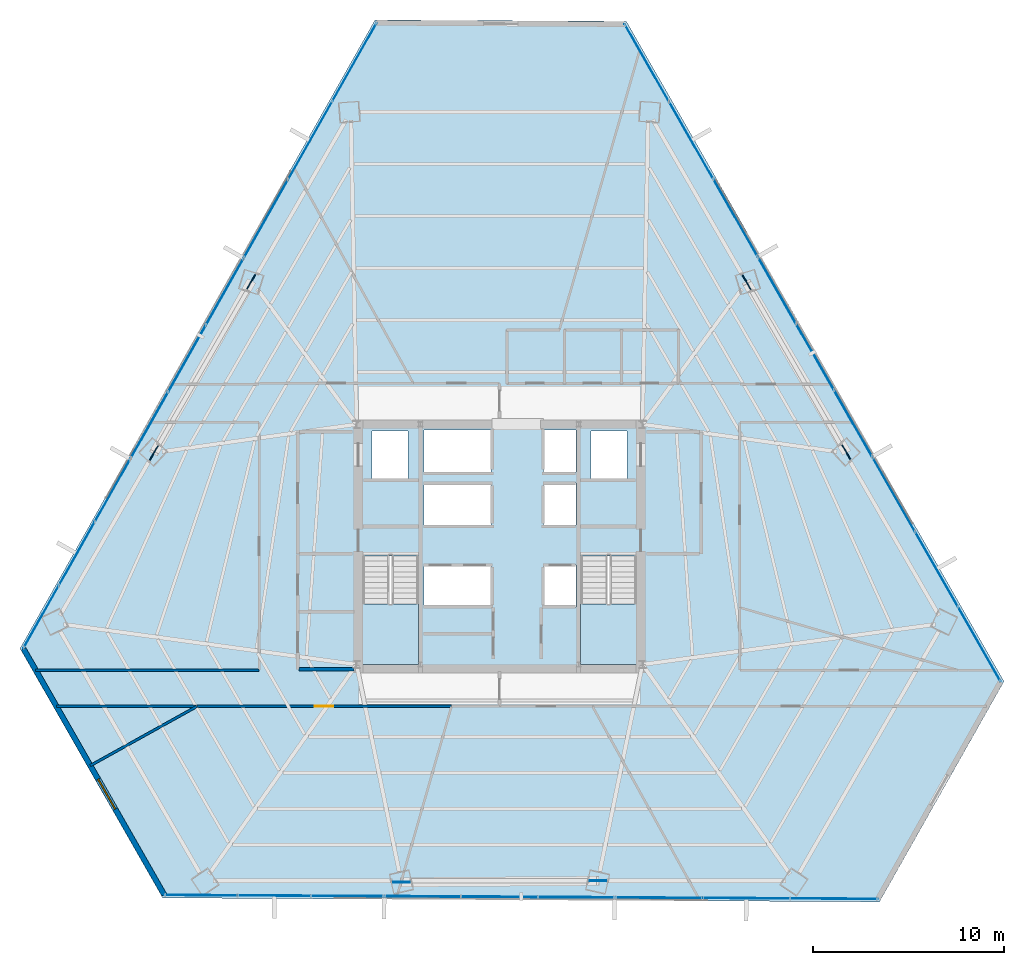
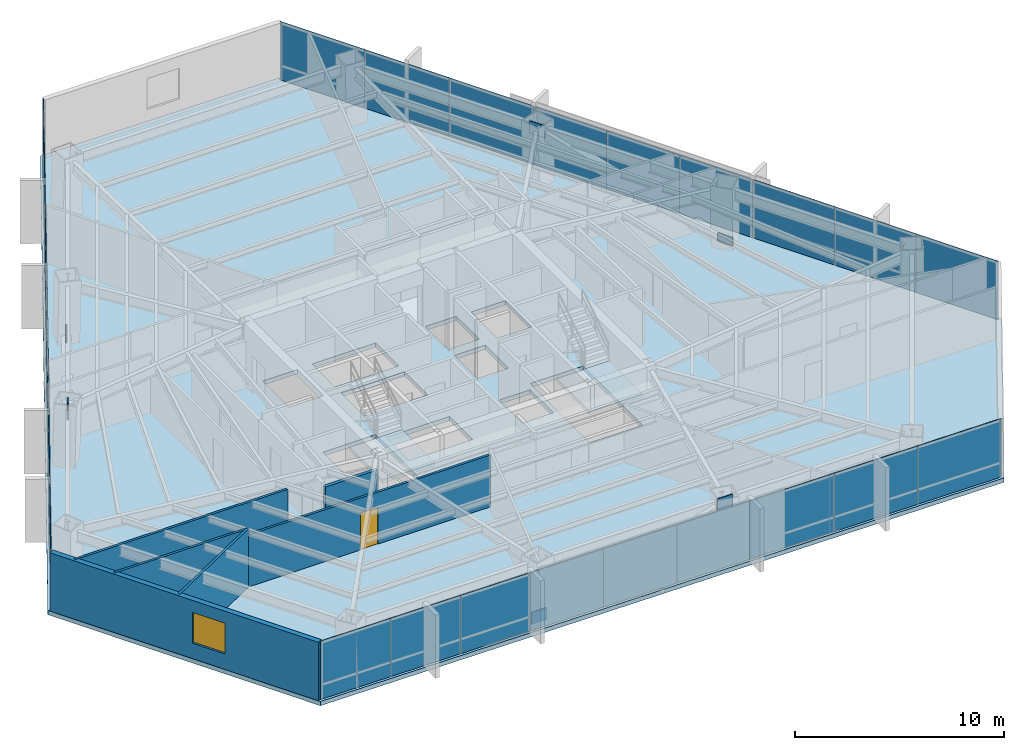
# One storey, part 29 of 35: 33 plates, 6 walls, 3 slabs, 1 door, 1 window, 2 openings, 11 elements without a shape of their own.
"""IFC4 building model written with IfcOpenShell, lengths in metres."""

import ifcopenshell
import ifcopenshell.guid

model = None  # the IFC model being written
_history = None  # IfcOwnerHistory: only IFC2X3 demands one
_inside = {}  # id of a spatial element -> (the spatial element, [elements in it])
_under = {}  # id of a project, library or spatial element -> (it, [spatial elements below it])
_declared = {}  # id of a project -> (the project, [libraries it declares])
_typed = {}  # id of a type object -> (the type object, [elements of that type])
_made_of = {}  # id of a material, layer set ... -> (it, [elements and type objects made of it])


def new_model(schema):
    """Start an empty IFC model of exactly this schema.

    Asked for "IFC4X3", IfcOpenShell would pick the latest addendum, in which some entities
    have other attributes; the version numbers below select the first issue.
    IFC2X3 requires an IfcOwnerHistory on every rooted entity: one is made here for all.
    """
    global model, _history
    if schema == "IFC4X3":
        model = ifcopenshell.file(schema_version=(4, 3, 0, 0))
    else:
        model = ifcopenshell.file(schema=schema)
    _inside.clear()
    _under.clear()
    _declared.clear()
    _typed.clear()
    _made_of.clear()
    _history = None
    if model.schema == "IFC2X3":
        org = make("IfcOrganization", Name="unknown")
        user = make(
            "IfcPersonAndOrganization",
            ThePerson=make("IfcPerson", FamilyName="unknown"),
            TheOrganization=org,
        )
        app = make(
            "IfcApplication",
            ApplicationDeveloper=org,
            Version="unknown",
            ApplicationFullName="unknown",
            ApplicationIdentifier="unknown",
        )
        _history = make(
            "IfcOwnerHistory",
            OwningUser=user,
            OwningApplication=app,
            ChangeAction="ADDED",
            CreationDate=0,
        )
    return model


def make(cls, **values):
    """One entity of the class cls with the attributes given. An attribute that is None is left unset."""
    return model.create_entity(
        cls, **{name: value for name, value in values.items() if value is not None}
    )


def rooted(cls, **values):
    """An entity with a GlobalId (a new one), such as an element, a storey or a relation."""
    return make(cls, GlobalId=ifcopenshell.guid.new(), OwnerHistory=_history, **values)


def si_unit(unit_type, name, prefix=None):
    """IfcSIUnit, for example si_unit("LENGTHUNIT", "METRE", prefix="MILLI")."""
    return make("IfcSIUnit", UnitType=unit_type, Prefix=prefix, Name=name)


def assignment(units):
    """IfcUnitAssignment: the units of a project."""
    return None if units is None else make("IfcUnitAssignment", Units=units)


def point(xyz):
    """IfcCartesianPoint."""
    return None if xyz is None else make("IfcCartesianPoint", Coordinates=xyz)


def direction(xyz):
    """IfcDirection."""
    return None if xyz is None else make("IfcDirection", DirectionRatios=xyz)


def frame(location, z_axis=None, x_axis=None):
    """IfcAxis2Placement3D, a coordinate frame: its origin and axes. An axis left out is left unset."""
    return make(
        "IfcAxis2Placement3D",
        Location=point(location),
        Axis=direction(z_axis),
        RefDirection=direction(x_axis),
    )


def frame_2d(location, x_axis=None):
    """IfcAxis2Placement2D, a coordinate frame in the plane: its origin and x axis."""
    return make(
        "IfcAxis2Placement2D", Location=point(location), RefDirection=direction(x_axis)
    )


def origin():
    """The frame at (0, 0, 0) with its axes left unset."""
    return frame((0.0, 0.0, 0.0))


def origin_2d():
    """The frame at (0, 0) in the plane with its x axis left unset."""
    return frame_2d((0.0, 0.0))


def place(relative_to, where):
    """IfcLocalPlacement: puts the frame where relative to a parent placement (None: the world)."""
    return make(
        "IfcLocalPlacement", PlacementRelTo=relative_to, RelativePlacement=where
    )


def context(
    kind, dimensions, precision=None, world=None, true_north=None, identifier=None
):
    """IfcGeometricRepresentationContext, for example the 3D "Model" context."""
    return make(
        "IfcGeometricRepresentationContext",
        ContextIdentifier=identifier,
        ContextType=kind,
        CoordinateSpaceDimension=dimensions,
        Precision=precision,
        WorldCoordinateSystem=world,
        TrueNorth=true_north,
    )


def subcontext(parent, identifier, kind, view, scale=None):
    """IfcGeometricRepresentationSubContext, for example "Body" below "Model"."""
    return make(
        "IfcGeometricRepresentationSubContext",
        ContextIdentifier=identifier,
        ContextType=kind,
        ParentContext=parent,
        TargetScale=scale,
        TargetView=view,
    )


def project(units=None, contexts=None):
    """IfcProject with its units and contexts."""
    return rooted(
        "IfcProject",
        Name="project",
        RepresentationContexts=contexts,
        UnitsInContext=assignment(units),
    )


def spatial(cls, under=None, at=None, **own):
    """A site, building, storey or space (cls), placed at a placement, below another one or the project."""
    s = rooted(cls, ObjectPlacement=at, **own)
    if under is not None:
        _under.setdefault(under.id(), (under, []))[1].append(s)
    return s


def polyline(points):
    """IfcPolyline through the points."""
    return make("IfcPolyline", Points=[point(p) for p in points])


def profile(cls, at=None, kind="AREA", **sizes):
    """A parametric profile (cls). Its sizes go by their IFC names, for example OverallWidth=200.0."""
    return make(cls, ProfileType=kind, Position=at, **sizes)


def rectangle(**sizes):
    """IfcRectangleProfileDef."""
    return profile("IfcRectangleProfileDef", **sizes)


def outline(outer, holes=None, kind="AREA"):
    """IfcArbitraryClosedProfileDef: a profile drawn as a closed curve; with holes, ...WithVoids."""
    if holes is None:
        return make("IfcArbitraryClosedProfileDef", ProfileType=kind, OuterCurve=outer)
    return make(
        "IfcArbitraryProfileDefWithVoids",
        ProfileType=kind,
        OuterCurve=outer,
        InnerCurves=holes,
    )


def extrude(swept, where, along, depth):
    """IfcExtrudedAreaSolid: the profile swept, set in the frame where, extruded along a direction by depth."""
    return make(
        "IfcExtrudedAreaSolid",
        SweptArea=swept,
        Position=where,
        ExtrudedDirection=direction(along),
        Depth=depth,
    )


def shape(context_of_items, identifier, shape_type, items):
    """IfcShapeRepresentation: the items that make up one representation, for example the "Body"."""
    return make(
        "IfcShapeRepresentation",
        ContextOfItems=context_of_items,
        RepresentationIdentifier=identifier,
        RepresentationType=shape_type,
        Items=items,
    )


def source(mapping_origin, context_of_items, identifier, shape_type, items):
    """IfcRepresentationMap: a shape defined once, which mapped items show again and again."""
    return make(
        "IfcRepresentationMap",
        MappingOrigin=mapping_origin,
        MappedRepresentation=shape(context_of_items, identifier, shape_type, items),
    )


def transform(
    local_origin,
    x_axis=None,
    y_axis=None,
    z_axis=None,
    scale=None,
    scale2=None,
    scale3=None,
    uniform=True,
):
    """IfcCartesianTransformationOperator3D, or its non-uniform kind. x_axis, y_axis, z_axis: its Axis1, 2, 3."""
    if uniform:
        return make(
            "IfcCartesianTransformationOperator3D",
            Axis1=direction(x_axis),
            Axis2=direction(y_axis),
            LocalOrigin=point(local_origin),
            Scale=scale,
            Axis3=direction(z_axis),
        )
    return make(
        "IfcCartesianTransformationOperator3DnonUniform",
        Axis1=direction(x_axis),
        Axis2=direction(y_axis),
        LocalOrigin=point(local_origin),
        Scale=scale,
        Axis3=direction(z_axis),
        Scale2=scale2,
        Scale3=scale3,
    )


def mapped(mapping_source, mapping_target):
    """IfcMappedItem: shows the shape of a source again, moved by a transform."""
    return make(
        "IfcMappedItem", MappingSource=mapping_source, MappingTarget=mapping_target
    )


def material(Name=None, Category=None):
    """IfcMaterial."""
    return make("IfcMaterial", Name=Name, Category=Category)


def layer(
    of_material, thickness, ventilated=None, Name=None, Category=None, Priority=None
):
    """IfcMaterialLayer: one layer of a wall or slab, of a material (None: an air gap)."""
    return make(
        "IfcMaterialLayer",
        Material=of_material,
        LayerThickness=thickness,
        IsVentilated=ventilated,
        Name=Name,
        Category=Category,
        Priority=Priority,
    )


def layer_set(layers, Name=None):
    """IfcMaterialLayerSet."""
    return make("IfcMaterialLayerSet", MaterialLayers=layers, LayerSetName=Name)


def made_of(thing, what):
    """Note that an element or type object is made of a material, layer set ...; save() writes the relation."""
    if what is not None:
        _made_of.setdefault(what.id(), (what, []))[1].append(thing)
    return thing


def type_object(cls, material=None, **own):
    """A type object (cls), such as IfcWallType, which elements share."""
    return made_of(rooted(cls, **own), material)


def type_shapes(of_type, sources):
    """Give a type object the sources (RepresentationMaps) that its elements show as mapped items."""
    of_type.RepresentationMaps = sources


def element(
    cls,
    number,
    at=None,
    inside=None,
    cuts=None,
    type_object=None,
    material=None,
    context=None,
    identifier="Body",
    shape_type=None,
    held_by="IfcProductDefinitionShape",
    body=None,
    shapes=None,
    **own,
):
    """One element of the class cls, such as IfcWall. Its Tag is "e" and its number.

    at: its placement. inside: the storey or other place that contains it. cuts: it is an
    opening in that element (IfcRelVoidsElement). A single representation is given by context,
    identifier, shape_type and body (its items); several are given by shapes. held_by: the class
    of the entity that holds the representations. save() writes the other relations.
    """
    e = rooted(cls, Tag="e%d" % number, ObjectPlacement=at, **own)
    if body is not None:
        shapes = [shape(context, identifier, shape_type, body)]
    if shapes is not None:
        e.Representation = make(held_by, Representations=shapes)
    if inside is not None:
        _inside.setdefault(inside.id(), (inside, []))[1].append(e)
    if cuts is not None:
        rooted(
            "IfcRelVoidsElement", RelatingBuildingElement=cuts, RelatedOpeningElement=e
        )
    if type_object is not None:
        _typed.setdefault(type_object.id(), (type_object, []))[1].append(e)
    return made_of(e, material)


def fill(opening, filler):
    """IfcRelFillsElement: the door or window that sits in an opening."""
    return rooted(
        "IfcRelFillsElement",
        RelatingOpeningElement=opening,
        RelatedBuildingElement=filler,
    )


def aggregate(whole, parts):
    """IfcRelAggregates: a whole, such as a stair, and the parts it consists of."""
    return rooted("IfcRelAggregates", RelatingObject=whole, RelatedObjects=parts)


def save(model, path):
    """Write the relations noted so far, then the file.

    IfcRelAggregates (storeys below a building ...), IfcRelContainedInSpatialStructure (elements
    in a storey), IfcRelDefinesByType, IfcRelAssociatesMaterial and IfcRelDeclares: one each for
    every whole, place, type object, material and project.
    """
    for whole, parts in _under.values():
        aggregate(whole, parts)
    for where, things in _inside.values():
        rooted(
            "IfcRelContainedInSpatialStructure",
            RelatedElements=things,
            RelatingStructure=where,
        )
    for kind, things in _typed.values():
        rooted("IfcRelDefinesByType", RelatedObjects=things, RelatingType=kind)
    for what, things in _made_of.values():
        rooted("IfcRelAssociatesMaterial", RelatedObjects=things, RelatingMaterial=what)
    for by, libraries in _declared.values():
        rooted("IfcRelDeclares", RelatingContext=by, RelatedDefinitions=libraries)
    model.write(path)


model = new_model("IFC4")

# Units and contexts
model_context = context("Model", 3, precision=1e-05, world=origin(), true_north=direction((0.0, 1.0)))
body_context = subcontext(model_context, "Body", "Model", "MODEL_VIEW")
ifc_project = project(units=[si_unit("LENGTHUNIT", "METRE"), si_unit("AREAUNIT", "SQUARE_METRE"), si_unit("VOLUMEUNIT", "CUBIC_METRE"), si_unit("PLANEANGLEUNIT", "RADIAN"), si_unit("MASSUNIT", "GRAM", prefix="KILO")], contexts=[model_context])

# Site, building, storey
site_placement = place(None, origin())
site = spatial("IfcSite", under=ifc_project, at=site_placement, CompositionType="ELEMENT")
building_placement = place(site_placement, origin())
building = spatial("IfcBuilding", under=site, at=building_placement, Name="Caelisora Broadcast Tower", CompositionType="ELEMENT")
storey_placement = place(building_placement, frame((0.0, 0.0, 87.14990234375)))
storey = spatial("IfcBuildingStorey", under=building, at=storey_placement, Name="L22", CompositionType="ELEMENT", Elevation=87.14990234375)

# Slab
ifc_material_1 = material(Name="Concrete 40 MPa (AS 3600 N40)", Category="concrete")
ifc_layer_1 = layer(ifc_material_1, 0.25, Name="Concrete 40 MPa (AS 3600 N40)")
ifc_layer_set_1 = layer_set([ifc_layer_1], Name="Concrete 40 MPa (AS 3600 N40)")
slab_type_1 = type_object("IfcSlabType", Name="SL04", PredefinedType="FLOOR", material=ifc_layer_set_1)
slab_1_placement = place(storey_placement, frame((0.0, 0.0, -0.25)))
element("IfcSlab", 1, at=slab_1_placement, inside=storey, type_object=slab_type_1, Name="L22 suspended floor SL04", PredefinedType="FLOOR", context=body_context, shape_type="SweptSolid", body=[
    extrude(outline(polyline([(44.656982421875, 51.135009765625), (31.468017578125, 51.20703125), (12.847900390625, 18.240966796875), (20.3330078125, 5.156982421875), (57.930908203125, 4.950927734375), (64.4619140625, 16.514892578125), (44.656982421875, 51.135009765625)]), holes=[polyline([(30.820068359375, 17.39990234375), (33.739990234375, 17.39990234375), (33.739990234375, 23.080078125), (30.820068359375, 23.080078125), (30.820068359375, 17.39990234375)]), polyline([(42.260009765625, 17.39990234375), (45.179931640625, 17.39990234375), (45.179931640625, 23.080078125), (42.260009765625, 23.080078125), (42.260009765625, 17.39990234375)]), polyline([(42.800048828125, 27.14990234375), (44.699951171875, 27.14990234375), (44.699951171875, 29.64990234375), (42.800048828125, 29.64990234375), (42.800048828125, 27.14990234375)]), polyline([(40.300048828125, 20.429931640625), (42.0, 20.429931640625), (42.0, 22.6298828125), (40.300048828125, 22.6298828125), (40.300048828125, 20.429931640625)]), polyline([(40.300048828125, 24.719970703125), (42.0, 24.719970703125), (42.0, 26.919921875), (40.300048828125, 26.919921875), (40.300048828125, 24.719970703125)]), polyline([(40.300048828125, 27.5), (42.0, 27.5), (42.0, 29.699951171875), (40.300048828125, 29.699951171875), (40.300048828125, 27.5)]), polyline([(34.050048828125, 20.429931640625), (37.550048828125, 20.429931640625), (37.550048828125, 22.6298828125), (34.050048828125, 22.6298828125), (34.050048828125, 20.429931640625)]), polyline([(34.050048828125, 24.719970703125), (37.550048828125, 24.719970703125), (37.550048828125, 26.919921875), (34.050048828125, 26.919921875), (34.050048828125, 24.719970703125)]), polyline([(34.050048828125, 27.5), (37.550048828125, 27.5), (37.550048828125, 29.699951171875), (34.050048828125, 29.699951171875), (34.050048828125, 27.5)]), polyline([(31.300048828125, 27.14990234375), (33.199951171875, 27.14990234375), (33.199951171875, 29.64990234375), (31.300048828125, 29.64990234375), (31.300048828125, 27.14990234375)])]), origin(), (0.0, 0.0, 1.0), 0.25),
])

# Stair, slab
stair_type_1 = type_object("IfcStairType", Name="ST-1", PredefinedType="HALF_TURN_STAIR", material=ifc_material_1)
stair_1_placement = place(storey_placement, origin())
stair_1 = element("IfcStair", 2, at=stair_1_placement, inside=storey, type_object=stair_type_1, Name="L22 West Fire-Isolated Tower Stair", PredefinedType="HALF_TURN_STAIR")
ifc_layer_2 = layer(ifc_material_1, 0.199951171875, Name="Concrete 40 MPa (AS 3600 N40)")
ifc_layer_set_2 = layer_set([ifc_layer_2], Name="Concrete 40 MPa (AS 3600 N40)")
slab_type_2 = type_object("IfcSlabType", Name="STL-1", PredefinedType="LANDING", material=ifc_layer_set_2)
slab_2_placement = place(storey_placement, frame((0.0, 0.0, 1.625)))
slab_2 = element("IfcSlab", 3, at=slab_2_placement, type_object=slab_type_2, Name="ST-1 landing 1", PredefinedType="LANDING", context=body_context, shape_type="SweptSolid", body=[
    extrude(outline(polyline([(30.820068359375, 20.580078125), (30.820068359375, 17.39990234375), (33.739990234375, 17.39990234375), (33.739990234375, 20.580078125), (30.820068359375, 20.580078125)])), origin(), (0.0, 0.0, 1.0), 0.2001953125),
])
aggregate(stair_1, [slab_2])

stair_type_2 = type_object("IfcStairType", Name="ST-2", PredefinedType="HALF_TURN_STAIR", material=ifc_material_1)
stair_2_placement = place(storey_placement, origin())
stair_2 = element("IfcStair", 4, at=stair_2_placement, inside=storey, type_object=stair_type_2, Name="L22 East Fire-Isolated Tower Stair", PredefinedType="HALF_TURN_STAIR")
slab_3_placement = place(storey_placement, frame((0.0, 0.0, 1.625)))
slab_3 = element("IfcSlab", 5, at=slab_3_placement, type_object=slab_type_2, Name="ST-2 landing 1", PredefinedType="LANDING", context=body_context, shape_type="SweptSolid", body=[
    extrude(outline(polyline([(42.260009765625, 20.580078125), (42.260009765625, 17.39990234375), (45.179931640625, 17.39990234375), (45.179931640625, 20.580078125), (42.260009765625, 20.580078125)])), origin(), (0.0, 0.0, 1.0), 0.2001953125),
])
aggregate(stair_2, [slab_3])

# Plates
ifc_material_2 = material(Name="Steel Grade 350 L15 (AS/NZS 3678)", Category="steel")
ifc_layer_3 = layer(ifc_material_2, 0.050048828125, Name="Steel Grade 350 L15 (AS/NZS 3678)")
ifc_layer_set_3 = layer_set([ifc_layer_3], Name="Steel Grade 350 L15 (AS/NZS 3678)")
plate_type_1 = type_object("IfcPlateType", Name="GP03", PredefinedType="USERDEFINED", material=ifc_layer_set_3)
shared_shape_1 = source(origin(), body_context, "Body", "SweptSolid", [
    extrude(rectangle(XDim=0.85009765625, YDim=0.050048828125, at=origin_2d()), origin(), (0.0, 0.0, 1.0), 0.699951171875),
])
type_shapes(plate_type_1, [shared_shape_1])
for number, where, z_axis, x_axis, name in (
    (6, (24.96630859375, 37.4658203125, -0.22998046875), (0.0, 0.0, 1.0), (-0.5, -0.866025403784, 0.0), "L22 gusset plate GP03 (ND-L22-C02B)"),
    (7, (19.875732421875, 28.50439453125, 2.72998046875), (0.0, 0.0, 1.0), (-0.5, -0.866025403784, 0.0), "L22 gusset plate GP03 (ND-L22-C03T)"),
    (8, (32.855224609375, 5.9794921875, -0.22998046875), (0.0, 0.0, 1.0), (1.0, 0.0, 0.0), "L22 gusset plate GP03 (ND-L22-C06B)"),
    (9, (43.1611328125, 6.0517578125, 2.72998046875), (0.0, 0.0, 1.0), (1.0, 0.0, 0.0), "L22 gusset plate GP03 (ND-L22-C07T)"),
    (10, (56.1787109375, 28.5546875, -0.22998046875), (0.0, 0.0, 1.0), (-0.5, 0.866025403784, 0.0), "L22 gusset plate GP03 (ND-L22-C10B)"),
    (11, (50.962890625, 37.44384765625, 2.72998046875), (0.0, 0.0, 1.0), (-0.5, 0.866025403784, 0.0), "L22 gusset plate GP03 (ND-L22-C11T)"),
):
    element("IfcPlate", number, at=place(storey_placement, frame(where, z_axis=z_axis, x_axis=x_axis)), inside=storey, type_object=plate_type_1, Name=name, ObjectType="GUSSET PLATE", PredefinedType="USERDEFINED", context=body_context, shape_type="MappedRepresentation", body=[
        mapped(shared_shape_1, transform((0.0, 0.0, 0.0), scale=1.0)),
    ])

# Curtain wall, plates
ifc_material_3 = material(Name="Unitised Aluminium and Low-E Glass Curtain Wall", Category="glass")
curtain_wall_type_1 = type_object("IfcCurtainWallType", Name="CW-Z2", PredefinedType="NOTDEFINED", material=ifc_material_3)
curtain_wall_1_placement = place(storey_placement, origin())
curtain_wall_1 = element("IfcCurtainWall", 12, at=curtain_wall_1_placement, inside=storey, type_object=curtain_wall_type_1, Name="L22 curtain wall CW-Z2", PredefinedType="NOTDEFINED")
ifc_material_4 = material(Name="Double Glazed Low-E Argon IGU", Category="glass")
ifc_layer_4 = layer(ifc_material_4, 0.033935546875, Name="Double Glazed Low-E Argon IGU")
ifc_layer_set_4 = layer_set([ifc_layer_4], Name="Double Glazed Low-E Argon IGU")
plate_type_2 = type_object("IfcPlateType", Name="CWP-03", PredefinedType="CURTAIN_PANEL", material=ifc_layer_set_4)
shared_shape_2 = source(origin(), body_context, "Body", "SweptSolid", [
    extrude(rectangle(XDim=4.6796875, YDim=0.033935546875, at=origin_2d()), origin(), (0.0, 0.0, 1.0), 3.39990234375),
])
plate_1_placement = place(storey_placement, frame((45.73193359375, 48.9541015625, 0.000244140625), z_axis=(0.0, 0.0, 1.0), x_axis=(0.496519531995, -0.868025549363, 0.0)))
plate_1 = element("IfcPlate", 13, at=plate_1_placement, type_object=plate_type_2, Name="L22-CW-B01 glazed panel #1", PredefinedType="CURTAIN_PANEL", context=body_context, shape_type="MappedRepresentation", body=[
    mapped(shared_shape_2, transform((0.0, 0.0, 0.0), scale=1.0)),
])
plate_2_placement = place(storey_placement, frame((48.0556640625, 44.891845703125, 0.000244140625), z_axis=(0.0, 0.0, 1.0), x_axis=(0.496519531995, -0.868025549363, 0.0)))
plate_2 = element("IfcPlate", 14, at=plate_2_placement, type_object=plate_type_2, Name="L22-CW-B01 glazed panel #2", PredefinedType="CURTAIN_PANEL", context=body_context, shape_type="MappedRepresentation", body=[
    mapped(shared_shape_2, transform((0.0, 0.0, 0.0), scale=1.0)),
])
plate_3_placement = place(storey_placement, frame((50.37939453125, 40.829833984375, 0.000244140625), z_axis=(0.0, 0.0, 1.0), x_axis=(0.496519531995, -0.868025549363, 0.0)))
plate_3 = element("IfcPlate", 15, at=plate_3_placement, type_object=plate_type_2, Name="L22-CW-B01 glazed panel #3", PredefinedType="CURTAIN_PANEL", context=body_context, shape_type="MappedRepresentation", body=[
    mapped(shared_shape_2, transform((0.0, 0.0, 0.0), scale=1.0)),
])
aggregate(curtain_wall_1, [plate_1, plate_2, plate_3])

ifc_material_5 = material(Name="Unitised Aluminium Insulated Shadow-Box Spandrel Curtain Wall", Category="aluminium")
curtain_wall_type_2 = type_object("IfcCurtainWallType", Name="CW-SP1", PredefinedType="NOTDEFINED", material=ifc_material_5)
curtain_wall_2_placement = place(storey_placement, origin())
curtain_wall_2 = element("IfcCurtainWall", 16, at=curtain_wall_2_placement, inside=storey, type_object=curtain_wall_type_2, Name="L22 curtain wall CW-SP1", PredefinedType="NOTDEFINED")
ifc_material_6 = material(Name="Insulated Terracotta Shadow-Box Spandrel Panel", Category="aluminium")
ifc_layer_5 = layer(ifc_material_6, 0.0439453125, Name="Insulated Terracotta Shadow-Box Spandrel Panel")
ifc_layer_set_5 = layer_set([ifc_layer_5], Name="Insulated Terracotta Shadow-Box Spandrel Panel")
plate_type_3 = type_object("IfcPlateType", Name="CWP-10", PredefinedType="CURTAIN_PANEL", material=ifc_layer_set_5)
shared_shape_3 = source(origin(), body_context, "Body", "SweptSolid", [
    extrude(rectangle(XDim=4.026611328125, YDim=0.0439453125, at=origin_2d()), origin(), (0.0, 0.0, 1.0), 3.39990234375),
])
plate_4_placement = place(storey_placement, frame((52.5458984375, 37.04248046875, 0.000244140625), z_axis=(0.0, 0.0, 1.0), x_axis=(0.496519531995, -0.868025549363, 0.0)))
plate_4 = element("IfcPlate", 17, at=plate_4_placement, type_object=plate_type_3, Name="L22-CW-B02 spandrel panel #1", PredefinedType="CURTAIN_PANEL", context=body_context, shape_type="MappedRepresentation", body=[
    mapped(shared_shape_3, transform((0.0, 0.0, 0.0), scale=1.0)),
])
plate_5_placement = place(storey_placement, frame((54.54541015625, 33.547607421875, 0.000244140625), z_axis=(0.0, 0.0, 1.0), x_axis=(0.496519531995, -0.868025549363, 0.0)))
plate_5 = element("IfcPlate", 18, at=plate_5_placement, type_object=plate_type_3, Name="L22-CW-B02 spandrel panel #2", PredefinedType="CURTAIN_PANEL", context=body_context, shape_type="MappedRepresentation", body=[
    mapped(shared_shape_3, transform((0.0, 0.0, 0.0), scale=1.0)),
])
plate_6_placement = place(storey_placement, frame((56.544677734375, 30.052490234375, 0.000244140625), z_axis=(0.0, 0.0, 1.0), x_axis=(0.496519531995, -0.868025549363, 0.0)))
plate_6 = element("IfcPlate", 19, at=plate_6_placement, type_object=plate_type_3, Name="L22-CW-B02 spandrel panel #3", PredefinedType="CURTAIN_PANEL", context=body_context, shape_type="MappedRepresentation", body=[
    mapped(shared_shape_3, transform((0.0, 0.0, 0.0), scale=1.0)),
])
aggregate(curtain_wall_2, [plate_4, plate_5, plate_6])

curtain_wall_3_placement = place(storey_placement, origin())
curtain_wall_3 = element("IfcCurtainWall", 20, at=curtain_wall_3_placement, inside=storey, type_object=curtain_wall_type_2, Name="L22 curtain wall CW-SP1", PredefinedType="NOTDEFINED")
plate_7_placement = place(storey_placement, frame((42.022216796875, 5.18798828125, 0.000244140625), z_axis=(0.0, 0.0, 1.0), x_axis=(-0.999984403629, 0.005585024571, 0.0)))
plate_7 = element("IfcPlate", 21, at=plate_7_placement, type_object=plate_type_3, Name="L22-CW-B06 spandrel panel #1", PredefinedType="CURTAIN_PANEL", context=body_context, shape_type="MappedRepresentation", body=[
    mapped(shared_shape_3, transform((0.0, 0.0, 0.0), scale=1.0)),
])
plate_8_placement = place(storey_placement, frame((37.995849609375, 5.210205078125, 0.000244140625), z_axis=(0.0, 0.0, 1.0), x_axis=(-0.999984403629, 0.005585024571, 0.0)))
plate_8 = element("IfcPlate", 22, at=plate_8_placement, type_object=plate_type_3, Name="L22-CW-B06 spandrel panel #2", PredefinedType="CURTAIN_PANEL", context=body_context, shape_type="MappedRepresentation", body=[
    mapped(shared_shape_3, transform((0.0, 0.0, 0.0), scale=1.0)),
])
plate_9_placement = place(storey_placement, frame((33.96923828125, 5.232421875, 0.000244140625), z_axis=(0.0, 0.0, 1.0), x_axis=(-0.999984403629, 0.005585024571, 0.0)))
plate_9 = element("IfcPlate", 23, at=plate_9_placement, type_object=plate_type_3, Name="L22-CW-B06 spandrel panel #3", PredefinedType="CURTAIN_PANEL", context=body_context, shape_type="MappedRepresentation", body=[
    mapped(shared_shape_3, transform((0.0, 0.0, 0.0), scale=1.0)),
])
aggregate(curtain_wall_3, [plate_7, plate_8, plate_9])

curtain_wall_4_placement = place(storey_placement, origin())
curtain_wall_4 = element("IfcCurtainWall", 24, at=curtain_wall_4_placement, inside=storey, type_object=curtain_wall_type_1, Name="L22 curtain wall CW-Z2", PredefinedType="NOTDEFINED")
shared_shape_4 = source(origin(), body_context, "Body", "SweptSolid", [
    extrude(rectangle(XDim=4.5244140625, YDim=0.033935546875, at=origin_2d()), origin(), (0.0, 0.0, 1.0), 3.39990234375),
])
plate_10_placement = place(storey_placement, frame((58.672607421875, 26.332763671875, 0.000244140625), z_axis=(0.0, 0.0, 1.0), x_axis=(0.496519531995, -0.868025549363, 0.0)))
plate_10 = element("IfcPlate", 25, at=plate_10_placement, type_object=plate_type_2, Name="L22-CW-B03 glazed panel #1", PredefinedType="CURTAIN_PANEL", context=body_context, shape_type="MappedRepresentation", body=[
    mapped(shared_shape_4, transform((0.0, 0.0, 0.0), scale=1.0)),
])
plate_11_placement = place(storey_placement, frame((60.919189453125, 22.405517578125, 0.000244140625), z_axis=(0.0, 0.0, 1.0), x_axis=(0.496519531995, -0.868025549363, 0.0)))
plate_11 = element("IfcPlate", 26, at=plate_11_placement, type_object=plate_type_2, Name="L22-CW-B03 glazed panel #2", PredefinedType="CURTAIN_PANEL", context=body_context, shape_type="MappedRepresentation", body=[
    mapped(shared_shape_4, transform((0.0, 0.0, 0.0), scale=1.0)),
])
plate_12_placement = place(storey_placement, frame((63.165771484375, 18.478515625, 0.000244140625), z_axis=(0.0, 0.0, 1.0), x_axis=(0.496519531995, -0.868025549363, 0.0)))
plate_12 = element("IfcPlate", 27, at=plate_12_placement, type_object=plate_type_2, Name="L22-CW-B03 glazed panel #3", PredefinedType="CURTAIN_PANEL", context=body_context, shape_type="MappedRepresentation", body=[
    mapped(shared_shape_4, transform((0.0, 0.0, 0.0), scale=1.0)),
])
aggregate(curtain_wall_4, [plate_10, plate_11, plate_12])

curtain_wall_5_placement = place(storey_placement, origin())
curtain_wall_5 = element("IfcCurtainWall", 28, at=curtain_wall_5_placement, inside=storey, type_object=curtain_wall_type_1, Name="L22 curtain wall CW-Z2", PredefinedType="NOTDEFINED")
shared_shape_5 = source(origin(), body_context, "Body", "SweptSolid", [
    extrude(rectangle(XDim=4.599609375, YDim=0.033935546875, at=origin_2d()), origin(), (0.0, 0.0, 1.0), 3.39990234375),
])
plate_13_placement = place(storey_placement, frame((55.544189453125, 5.11376953125, 0.000244140625), z_axis=(0.0, 0.0, 1.0), x_axis=(-0.999984403629, 0.005585024571, 0.0)))
plate_13 = element("IfcPlate", 29, at=plate_13_placement, type_object=plate_type_2, Name="L22-CW-B05 glazed panel #1", PredefinedType="CURTAIN_PANEL", context=body_context, shape_type="MappedRepresentation", body=[
    mapped(shared_shape_5, transform((0.0, 0.0, 0.0), scale=1.0)),
])
plate_14_placement = place(storey_placement, frame((50.944580078125, 5.138916015625, 0.000244140625), z_axis=(0.0, 0.0, 1.0), x_axis=(-0.999984403629, 0.005585024571, 0.0)))
plate_14 = element("IfcPlate", 30, at=plate_14_placement, type_object=plate_type_2, Name="L22-CW-B05 glazed panel #2", PredefinedType="CURTAIN_PANEL", context=body_context, shape_type="MappedRepresentation", body=[
    mapped(shared_shape_5, transform((0.0, 0.0, 0.0), scale=1.0)),
])
plate_15_placement = place(storey_placement, frame((46.34521484375, 5.164306640625, 0.000244140625), z_axis=(0.0, 0.0, 1.0), x_axis=(-0.999984403629, 0.005585024571, 0.0)))
plate_15 = element("IfcPlate", 31, at=plate_15_placement, type_object=plate_type_2, Name="L22-CW-B05 glazed panel #3", PredefinedType="CURTAIN_PANEL", context=body_context, shape_type="MappedRepresentation", body=[
    mapped(shared_shape_5, transform((0.0, 0.0, 0.0), scale=1.0)),
])
aggregate(curtain_wall_5, [plate_13, plate_14, plate_15])

curtain_wall_6_placement = place(storey_placement, origin())
curtain_wall_6 = element("IfcCurtainWall", 32, at=curtain_wall_6_placement, inside=storey, type_object=curtain_wall_type_1, Name="L22 curtain wall CW-Z2", PredefinedType="NOTDEFINED")
shared_shape_6 = source(origin(), body_context, "Body", "SweptSolid", [
    extrude(rectangle(XDim=3.842041015625, YDim=0.033935546875, at=origin_2d()), origin(), (0.0, 0.0, 1.0), 3.39990234375),
])
plate_16_placement = place(storey_placement, frame((30.025146484375, 5.254150390625, 0.000244140625), z_axis=(0.0, 0.0, 1.0), x_axis=(-0.999984403629, 0.005585024571, 0.0)))
plate_16 = element("IfcPlate", 33, at=plate_16_placement, type_object=plate_type_2, Name="L22-CW-B07 glazed panel #1", PredefinedType="CURTAIN_PANEL", context=body_context, shape_type="MappedRepresentation", body=[
    mapped(shared_shape_6, transform((0.0, 0.0, 0.0), scale=1.0)),
])
plate_17_placement = place(storey_placement, frame((26.18310546875, 5.275390625, 0.000244140625), z_axis=(0.0, 0.0, 1.0), x_axis=(-0.999984403629, 0.005585024571, 0.0)))
plate_17 = element("IfcPlate", 34, at=plate_17_placement, type_object=plate_type_2, Name="L22-CW-B07 glazed panel #2", PredefinedType="CURTAIN_PANEL", context=body_context, shape_type="MappedRepresentation", body=[
    mapped(shared_shape_6, transform((0.0, 0.0, 0.0), scale=1.0)),
])
plate_18_placement = place(storey_placement, frame((22.341064453125, 5.29638671875, 0.000244140625), z_axis=(0.0, 0.0, 1.0), x_axis=(-0.999984403629, 0.005585024571, 0.0)))
plate_18 = element("IfcPlate", 35, at=plate_18_placement, type_object=plate_type_2, Name="L22-CW-B07 glazed panel #3", PredefinedType="CURTAIN_PANEL", context=body_context, shape_type="MappedRepresentation", body=[
    mapped(shared_shape_6, transform((0.0, 0.0, 0.0), scale=1.0)),
])
aggregate(curtain_wall_6, [plate_16, plate_17, plate_18])

curtain_wall_7_placement = place(storey_placement, origin())
curtain_wall_7 = element("IfcCurtainWall", 36, at=curtain_wall_7_placement, inside=storey, type_object=curtain_wall_type_1, Name="L22 curtain wall CW-Z2", PredefinedType="NOTDEFINED")
shared_shape_7 = source(origin(), body_context, "Body", "SweptSolid", [
    extrude(rectangle(XDim=3.806396484375, YDim=0.033935546875, at=origin_2d()), origin(), (0.0, 0.0, 1.0), 3.39990234375),
])
plate_19_placement = place(storey_placement, frame((13.95703125, 19.898193359375, 0.000244140625), z_axis=(0.0, 0.0, 1.0), x_axis=(0.49181581725, 0.870699260309, 0.0)))
plate_19 = element("IfcPlate", 37, at=plate_19_placement, type_object=plate_type_2, Name="L22-CW-B09 glazed panel #1", PredefinedType="CURTAIN_PANEL", context=body_context, shape_type="MappedRepresentation", body=[
    mapped(shared_shape_7, transform((0.0, 0.0, 0.0), scale=1.0)),
])
plate_20_placement = place(storey_placement, frame((15.828857421875, 23.212646484375, 0.000244140625), z_axis=(0.0, 0.0, 1.0), x_axis=(0.49181581725, 0.870699260309, 0.0)))
plate_20 = element("IfcPlate", 38, at=plate_20_placement, type_object=plate_type_2, Name="L22-CW-B09 glazed panel #2", PredefinedType="CURTAIN_PANEL", context=body_context, shape_type="MappedRepresentation", body=[
    mapped(shared_shape_7, transform((0.0, 0.0, 0.0), scale=1.0)),
])
plate_21_placement = place(storey_placement, frame((17.700927734375, 26.527099609375, 0.000244140625), z_axis=(0.0, 0.0, 1.0), x_axis=(0.49181581725, 0.870699260309, 0.0)))
plate_21 = element("IfcPlate", 39, at=plate_21_placement, type_object=plate_type_2, Name="L22-CW-B09 glazed panel #3", PredefinedType="CURTAIN_PANEL", context=body_context, shape_type="MappedRepresentation", body=[
    mapped(shared_shape_7, transform((0.0, 0.0, 0.0), scale=1.0)),
])
aggregate(curtain_wall_7, [plate_19, plate_20, plate_21])

curtain_wall_8_placement = place(storey_placement, origin())
curtain_wall_8 = element("IfcCurtainWall", 40, at=curtain_wall_8_placement, inside=storey, type_object=curtain_wall_type_2, Name="L22 curtain wall CW-SP1", PredefinedType="NOTDEFINED")
shared_shape_8 = source(origin(), body_context, "Body", "SweptSolid", [
    extrude(rectangle(XDim=4.0263671875, YDim=0.0439453125, at=origin_2d()), origin(), (0.0, 0.0, 1.0), 3.39990234375),
])
type_shapes(plate_type_3, [shared_shape_3, shared_shape_8])
plate_22_placement = place(storey_placement, frame((19.6318359375, 29.946044921875, 0.000244140625), z_axis=(0.0, 0.0, 1.0), x_axis=(0.49181581725, 0.870699260309, 0.0)))
plate_22 = element("IfcPlate", 41, at=plate_22_placement, type_object=plate_type_3, Name="L22-CW-B10 spandrel panel #1", PredefinedType="CURTAIN_PANEL", context=body_context, shape_type="MappedRepresentation", body=[
    mapped(shared_shape_8, transform((0.0, 0.0, 0.0), scale=1.0)),
])
plate_23_placement = place(storey_placement, frame((21.61181640625, 33.451904296875, 0.000244140625), z_axis=(0.0, 0.0, 1.0), x_axis=(0.49181581725, 0.870699260309, 0.0)))
plate_23 = element("IfcPlate", 42, at=plate_23_placement, type_object=plate_type_3, Name="L22-CW-B10 spandrel panel #2", PredefinedType="CURTAIN_PANEL", context=body_context, shape_type="MappedRepresentation", body=[
    mapped(shared_shape_8, transform((0.0, 0.0, 0.0), scale=1.0)),
])
plate_24_placement = place(storey_placement, frame((23.591796875, 36.957763671875, 0.000244140625), z_axis=(0.0, 0.0, 1.0), x_axis=(0.49181581725, 0.870699260309, 0.0)))
plate_24 = element("IfcPlate", 43, at=plate_24_placement, type_object=plate_type_3, Name="L22-CW-B10 spandrel panel #3", PredefinedType="CURTAIN_PANEL", context=body_context, shape_type="MappedRepresentation", body=[
    mapped(shared_shape_8, transform((0.0, 0.0, 0.0), scale=1.0)),
])
aggregate(curtain_wall_8, [plate_22, plate_23, plate_24])

curtain_wall_9_placement = place(storey_placement, origin())
curtain_wall_9 = element("IfcCurtainWall", 44, at=curtain_wall_9_placement, inside=storey, type_object=curtain_wall_type_1, Name="L22 curtain wall CW-Z2", PredefinedType="NOTDEFINED")
shared_shape_9 = source(origin(), body_context, "Body", "SweptSolid", [
    extrude(rectangle(XDim=4.72314453125, YDim=0.033935546875, at=origin_2d()), origin(), (0.0, 0.0, 1.0), 3.39990234375),
])
type_shapes(plate_type_2, [shared_shape_2, shared_shape_4, shared_shape_5, shared_shape_6, shared_shape_7, shared_shape_9])
plate_25_placement = place(storey_placement, frame((25.748291015625, 40.775634765625, 0.000244140625), z_axis=(0.0, 0.0, 1.0), x_axis=(0.49181581725, 0.870699260309, 0.0)))
plate_25 = element("IfcPlate", 45, at=plate_25_placement, type_object=plate_type_2, Name="L22-CW-B11 glazed panel #1", PredefinedType="CURTAIN_PANEL", context=body_context, shape_type="MappedRepresentation", body=[
    mapped(shared_shape_9, transform((0.0, 0.0, 0.0), scale=1.0)),
])
plate_26_placement = place(storey_placement, frame((28.07080078125, 44.88818359375, 0.000244140625), z_axis=(0.0, 0.0, 1.0), x_axis=(0.49181581725, 0.870699260309, 0.0)))
plate_26 = element("IfcPlate", 46, at=plate_26_placement, type_object=plate_type_2, Name="L22-CW-B11 glazed panel #2", PredefinedType="CURTAIN_PANEL", context=body_context, shape_type="MappedRepresentation", body=[
    mapped(shared_shape_9, transform((0.0, 0.0, 0.0), scale=1.0)),
])
plate_27_placement = place(storey_placement, frame((30.3935546875, 49.000732421875, 0.000244140625), z_axis=(0.0, 0.0, 1.0), x_axis=(0.49181581725, 0.870699260309, 0.0)))
plate_27 = element("IfcPlate", 47, at=plate_27_placement, type_object=plate_type_2, Name="L22-CW-B11 glazed panel #3", PredefinedType="CURTAIN_PANEL", context=body_context, shape_type="MappedRepresentation", body=[
    mapped(shared_shape_9, transform((0.0, 0.0, 0.0), scale=1.0)),
])
aggregate(curtain_wall_9, [plate_25, plate_26, plate_27])

# Wall, opening, window
ifc_material_7 = material(Name="Insulated Terracotta Spandrel Wall System", Category="masonry")
ifc_layer_6 = layer(ifc_material_7, 0.280029296875, Name="Insulated Terracotta Spandrel Wall System")
ifc_layer_set_6 = layer_set([ifc_layer_6], Name="Insulated Terracotta Spandrel Wall System")
wall_type_1 = type_object("IfcWallType", Name="EW1", PredefinedType="STANDARD", material=ifc_layer_set_6)
wall_1_placement = place(storey_placement, frame((20.405029296875, 5.3330078125, 0.0), z_axis=(0.0, 0.0, 1.0), x_axis=(-0.496542808459, 0.868012234573, 0.0)))
wall_1 = element("IfcWall", 48, at=wall_1_placement, inside=storey, type_object=wall_type_1, Name="L22 exterior envelope wall EW1", PredefinedType="STANDARD", context=body_context, shape_type="SweptSolid", body=[
    extrude(rectangle(XDim=14.8408203125, YDim=0.280029296875, at=frame_2d((7.42041015625, 0.0))), origin(), (0.0, 0.0, 1.0), 3.400146484375),
])
opening_1_placement = place(wall_1_placement, frame((5.169921875, 0.0, 0.89990234375)))
opening_1 = element("IfcOpeningElement", 49, at=opening_1_placement, cuts=wall_1, Name="Opening W01", PredefinedType="OPENING", context=body_context, shape_type="SweptSolid", body=[
    extrude(rectangle(XDim=1.800048828125, YDim=1.800048828125, at=frame_2d((0.89990234375, 0.89990234375))), frame((0.0, 0.152099609375, 0.0), z_axis=(0.0, -1.0, 0.0), x_axis=(1.0, 0.0, 0.0)), (0.0, 0.0, 1.0), 0.303955078125),
])
ifc_material_8 = material(Name="Double Glazed Terracotta-Framed Vision Window", Category="glass")
window_type = type_object("IfcWindowType", Name="W01", PartitioningType="SINGLE_PANEL", PredefinedType="WINDOW", material=ifc_material_8)
window_placement = place(opening_1_placement, origin())
window = element("IfcWindow", 50, at=window_placement, inside=storey, type_object=window_type, Name="L22 window W01 (L22-WN-CH4)", OverallHeight=1.800048828125, OverallWidth=1.800048828125, PartitioningType="SINGLE_PANEL", PredefinedType="WINDOW", context=body_context, shape_type="SweptSolid", body=[
    extrude(rectangle(XDim=1.800048828125, YDim=1.800048828125, at=frame_2d((0.89990234375, 0.89990234375))), frame((0.0, 0.030029296875, 0.0), z_axis=(0.0, -1.0, 0.0), x_axis=(1.0, 0.0, 0.0)), (0.0, 0.0, 1.0), 0.06005859375),
])
fill(opening_1, window)

# Wall
ifc_material_9 = material(Name="Fire-Rated Gypsum Shaft and Compartment Wall", Category="gypsum")
ifc_layer_7 = layer(ifc_material_9, 0.179931640625, Name="Fire-Rated Gypsum Shaft and Compartment Wall")
ifc_layer_set_7 = layer_set([ifc_layer_7], Name="Fire-Rated Gypsum Shaft and Compartment Wall")
wall_type_2 = type_object("IfcWallType", Name="PW2", PredefinedType="PARTITIONING", material=ifc_layer_set_7)
wall_2_placement = place(storey_placement, frame((27.47998046875, 17.14990234375, 0.0), z_axis=(0.0, 0.0, 1.0), x_axis=(1.0, 0.0, 0.0)))
element("IfcWall", 51, at=wall_2_placement, inside=storey, type_object=wall_type_2, Name="L22 fire compartment wall PW2", PredefinedType="PARTITIONING", context=body_context, shape_type="SweptSolid", body=[
    extrude(rectangle(XDim=2.89990234375, YDim=0.179931640625, at=frame_2d((1.449951171875, 0.0))), origin(), (0.0, 0.0, 1.0), 2.782958984375),
])

# Wall, opening, door
ifc_material_10 = material(Name="Acoustic Steel-Stud Plasterboard Partition", Category="gypsum")
ifc_layer_8 = layer(ifc_material_10, 0.1298828125, Name="Acoustic Steel-Stud Plasterboard Partition")
ifc_layer_set_8 = layer_set([ifc_layer_8], Name="Acoustic Steel-Stud Plasterboard Partition")
wall_type_3 = type_object("IfcWallType", Name="PW3", PredefinedType="PARTITIONING", material=ifc_layer_set_8)
wall_3_placement = place(storey_placement, frame((22.125, 15.199951171875, 0.0), z_axis=(0.0, 0.0, 1.0), x_axis=(1.0, 0.0, 0.0)))
wall_3 = element("IfcWall", 52, at=wall_3_placement, inside=storey, type_object=wall_type_3, Name="L22 internal partition PW3", PredefinedType="PARTITIONING", context=body_context, shape_type="SweptSolid", body=[
    extrude(rectangle(XDim=13.35009765625, YDim=0.1298828125, at=frame_2d((6.675048828125, 0.0))), origin(), (0.0, 0.0, 1.0), 3.026611328125),
])
opening_2_placement = place(wall_3_placement, frame((6.195068359375, 0.0, 0.0)))
opening_2 = element("IfcOpeningElement", 53, at=opening_2_placement, cuts=wall_3, Name="Opening D01", PredefinedType="OPENING", context=body_context, shape_type="SweptSolid", body=[
    extrude(rectangle(XDim=0.9599609375, YDim=2.14990234375, at=frame_2d((0.47998046875, 1.074951171875))), frame((0.0, 0.076904296875, 0.0), z_axis=(0.0, -1.0, 0.0), x_axis=(1.0, 0.0, 0.0)), (0.0, 0.0, 1.0), 0.15380859375),
])
ifc_material_11 = material(Name="Solid-Core Timber Acoustic Office Door", Category="wood")
door_type = type_object("IfcDoorType", Name="D01", OperationType="NOTDEFINED", PredefinedType="DOOR", material=ifc_material_11)
door_placement = place(opening_2_placement, origin())
door = element("IfcDoor", 54, at=door_placement, inside=storey, type_object=door_type, Name="L22 door D01 (L22-DR-P29D1)", OperationType="SINGLE_SWING_RIGHT", OverallHeight=2.14990234375, OverallWidth=0.9599609375, PredefinedType="DOOR", context=body_context, shape_type="SweptSolid", body=[
    extrude(rectangle(XDim=0.9599609375, YDim=2.14990234375, at=frame_2d((0.47998046875, 1.074951171875))), frame((0.0, 0.02490234375, 0.0), z_axis=(0.0, -1.0, 0.0), x_axis=(1.0, 0.0, 0.0)), (0.0, 0.0, 1.0), 0.050048828125),
])
fill(opening_2, door)

# Walls
wall_4_placement = place(storey_placement, frame((13.667724609375, 17.10009765625, 0.0), z_axis=(0.0, 0.0, 1.0), x_axis=(1.0, 0.0, 0.0)))
element("IfcWall", 55, at=wall_4_placement, inside=storey, type_object=wall_type_3, Name="L22 internal partition PW3", PredefinedType="PARTITIONING", context=body_context, shape_type="SweptSolid", body=[
    extrude(rectangle(XDim=11.727294921875, YDim=0.1298828125, at=frame_2d((5.86376953125, 0.0))), origin(), (0.0, 0.0, 1.0), 3.400146484375),
])
wall_5_placement = place(storey_placement, frame((14.754638671875, 15.199951171875, 0.0), z_axis=(0.0, 0.0, 1.0), x_axis=(1.0, 0.0, 0.0)))
element("IfcWall", 56, at=wall_5_placement, inside=storey, type_object=wall_type_3, Name="L22 internal partition PW3", PredefinedType="PARTITIONING", context=body_context, shape_type="SweptSolid", body=[
    extrude(rectangle(XDim=7.3603515625, YDim=0.1298828125, at=frame_2d((3.68017578125, 0.0))), origin(), (0.0, 0.0, 1.0), 3.400146484375),
])
wall_6_placement = place(storey_placement, frame((22.115966796875, 15.197998046875, 0.0), z_axis=(0.0, 0.0, 1.0), x_axis=(-0.874139250959, -0.485675375052, 0.0)))
element("IfcWall", 57, at=wall_6_placement, inside=storey, type_object=wall_type_3, Name="L22 internal partition PW3", PredefinedType="PARTITIONING", context=body_context, shape_type="SweptSolid", body=[
    extrude(rectangle(XDim=6.38916015625, YDim=0.1298828125, at=frame_2d((3.194580078125, 0.0))), origin(), (0.0, 0.0, 1.0), 3.400146484375),
])

save(model, "model.ifc")
